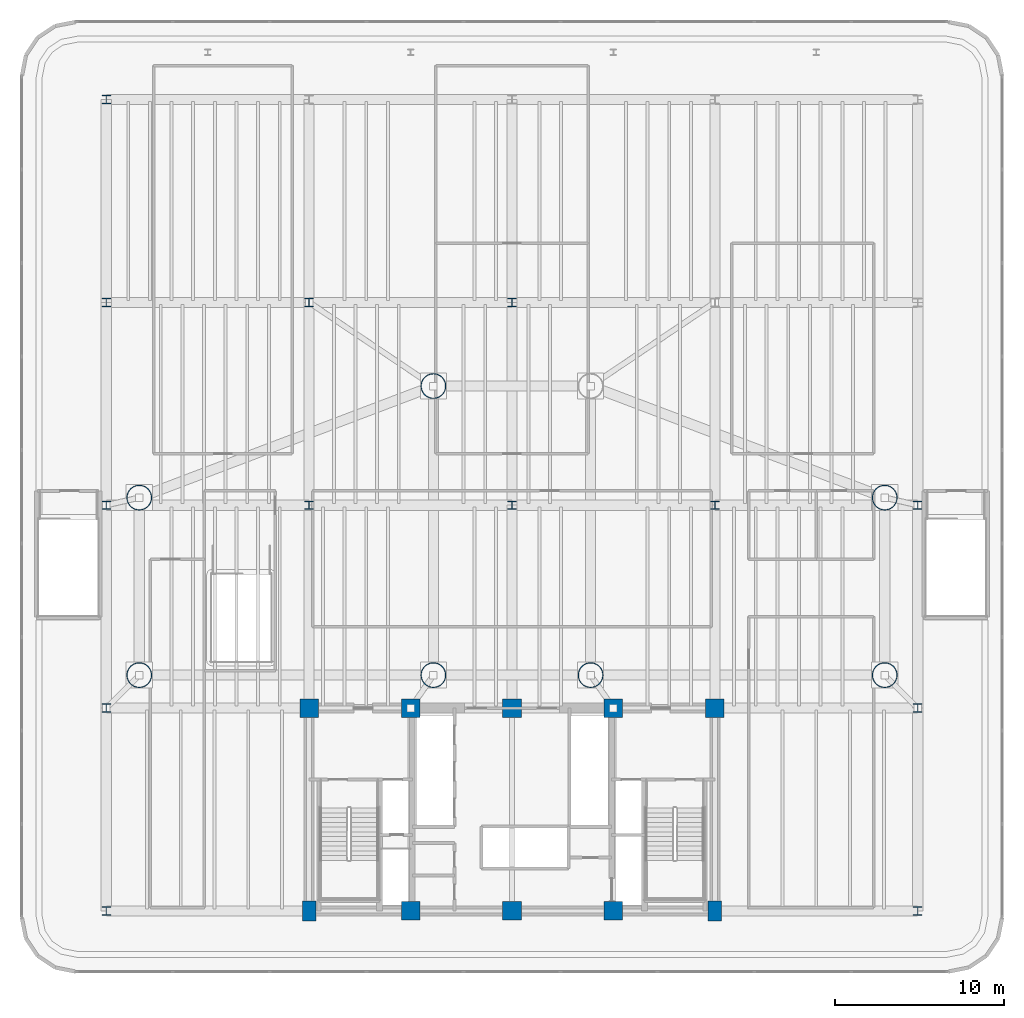
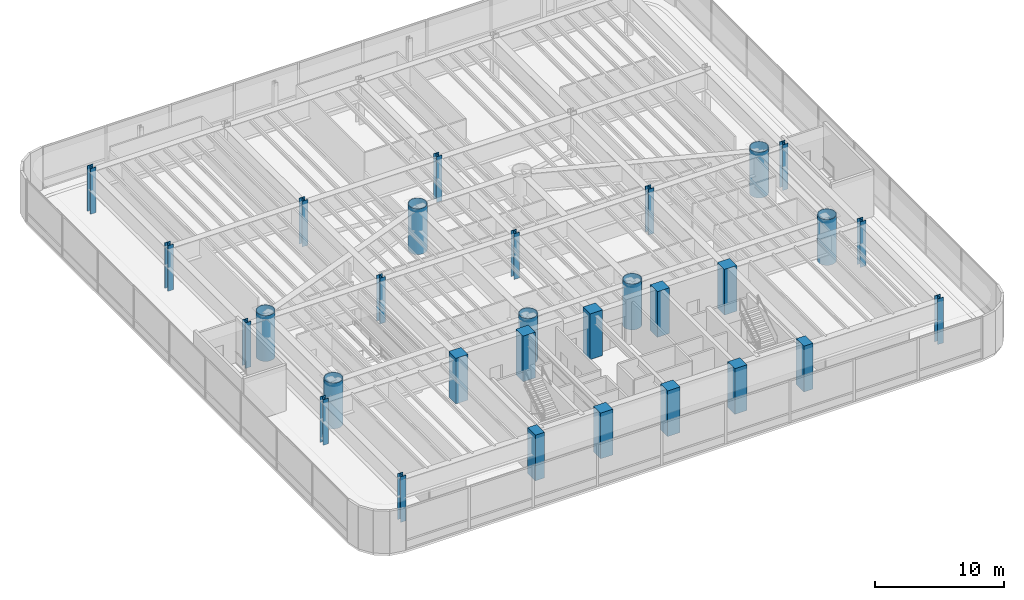
# One storey, part 1 of 18: 30 columns.
"""IFC4 building model written with IfcOpenShell, lengths in metres."""

import ifcopenshell
import ifcopenshell.guid

model = None  # the IFC model being written
_history = None  # IfcOwnerHistory: only IFC2X3 demands one
_inside = {}  # id of a spatial element -> (the spatial element, [elements in it])
_under = {}  # id of a project, library or spatial element -> (it, [spatial elements below it])
_declared = {}  # id of a project -> (the project, [libraries it declares])
_typed = {}  # id of a type object -> (the type object, [elements of that type])
_made_of = {}  # id of a material, layer set ... -> (it, [elements and type objects made of it])


def new_model(schema):
    """Start an empty IFC model of exactly this schema.

    Asked for "IFC4X3", IfcOpenShell would pick the latest addendum, in which some entities
    have other attributes; the version numbers below select the first issue.
    IFC2X3 requires an IfcOwnerHistory on every rooted entity: one is made here for all.
    """
    global model, _history
    if schema == "IFC4X3":
        model = ifcopenshell.file(schema_version=(4, 3, 0, 0))
    else:
        model = ifcopenshell.file(schema=schema)
    _inside.clear()
    _under.clear()
    _declared.clear()
    _typed.clear()
    _made_of.clear()
    _history = None
    if model.schema == "IFC2X3":
        org = make("IfcOrganization", Name="unknown")
        user = make(
            "IfcPersonAndOrganization",
            ThePerson=make("IfcPerson", FamilyName="unknown"),
            TheOrganization=org,
        )
        app = make(
            "IfcApplication",
            ApplicationDeveloper=org,
            Version="unknown",
            ApplicationFullName="unknown",
            ApplicationIdentifier="unknown",
        )
        _history = make(
            "IfcOwnerHistory",
            OwningUser=user,
            OwningApplication=app,
            ChangeAction="ADDED",
            CreationDate=0,
        )
    return model


def make(cls, **values):
    """One entity of the class cls with the attributes given. An attribute that is None is left unset."""
    return model.create_entity(
        cls, **{name: value for name, value in values.items() if value is not None}
    )


def rooted(cls, **values):
    """An entity with a GlobalId (a new one), such as an element, a storey or a relation."""
    return make(cls, GlobalId=ifcopenshell.guid.new(), OwnerHistory=_history, **values)


def si_unit(unit_type, name, prefix=None):
    """IfcSIUnit, for example si_unit("LENGTHUNIT", "METRE", prefix="MILLI")."""
    return make("IfcSIUnit", UnitType=unit_type, Prefix=prefix, Name=name)


def assignment(units):
    """IfcUnitAssignment: the units of a project."""
    return None if units is None else make("IfcUnitAssignment", Units=units)


def point(xyz):
    """IfcCartesianPoint."""
    return None if xyz is None else make("IfcCartesianPoint", Coordinates=xyz)


def direction(xyz):
    """IfcDirection."""
    return None if xyz is None else make("IfcDirection", DirectionRatios=xyz)


def frame(location, z_axis=None, x_axis=None):
    """IfcAxis2Placement3D, a coordinate frame: its origin and axes. An axis left out is left unset."""
    return make(
        "IfcAxis2Placement3D",
        Location=point(location),
        Axis=direction(z_axis),
        RefDirection=direction(x_axis),
    )


def frame_2d(location, x_axis=None):
    """IfcAxis2Placement2D, a coordinate frame in the plane: its origin and x axis."""
    return make(
        "IfcAxis2Placement2D", Location=point(location), RefDirection=direction(x_axis)
    )


def origin():
    """The frame at (0, 0, 0) with its axes left unset."""
    return frame((0.0, 0.0, 0.0))


def origin_2d():
    """The frame at (0, 0) in the plane with its x axis left unset."""
    return frame_2d((0.0, 0.0))


def place(relative_to, where):
    """IfcLocalPlacement: puts the frame where relative to a parent placement (None: the world)."""
    return make(
        "IfcLocalPlacement", PlacementRelTo=relative_to, RelativePlacement=where
    )


def context(
    kind, dimensions, precision=None, world=None, true_north=None, identifier=None
):
    """IfcGeometricRepresentationContext, for example the 3D "Model" context."""
    return make(
        "IfcGeometricRepresentationContext",
        ContextIdentifier=identifier,
        ContextType=kind,
        CoordinateSpaceDimension=dimensions,
        Precision=precision,
        WorldCoordinateSystem=world,
        TrueNorth=true_north,
    )


def subcontext(parent, identifier, kind, view, scale=None):
    """IfcGeometricRepresentationSubContext, for example "Body" below "Model"."""
    return make(
        "IfcGeometricRepresentationSubContext",
        ContextIdentifier=identifier,
        ContextType=kind,
        ParentContext=parent,
        TargetScale=scale,
        TargetView=view,
    )


def project(units=None, contexts=None):
    """IfcProject with its units and contexts."""
    return rooted(
        "IfcProject",
        Name="project",
        RepresentationContexts=contexts,
        UnitsInContext=assignment(units),
    )


def spatial(cls, under=None, at=None, **own):
    """A site, building, storey or space (cls), placed at a placement, below another one or the project."""
    s = rooted(cls, ObjectPlacement=at, **own)
    if under is not None:
        _under.setdefault(under.id(), (under, []))[1].append(s)
    return s


def profile(cls, at=None, kind="AREA", **sizes):
    """A parametric profile (cls). Its sizes go by their IFC names, for example OverallWidth=200.0."""
    return make(cls, ProfileType=kind, Position=at, **sizes)


def rectangle(**sizes):
    """IfcRectangleProfileDef."""
    return profile("IfcRectangleProfileDef", **sizes)


def hollow_circle(**sizes):
    """IfcCircleHollowProfileDef."""
    return profile("IfcCircleHollowProfileDef", **sizes)


def i_section(**sizes):
    """IfcIShapeProfileDef."""
    return profile("IfcIShapeProfileDef", **sizes)


def extrude(swept, where, along, depth):
    """IfcExtrudedAreaSolid: the profile swept, set in the frame where, extruded along a direction by depth."""
    return make(
        "IfcExtrudedAreaSolid",
        SweptArea=swept,
        Position=where,
        ExtrudedDirection=direction(along),
        Depth=depth,
    )


def shape(context_of_items, identifier, shape_type, items):
    """IfcShapeRepresentation: the items that make up one representation, for example the "Body"."""
    return make(
        "IfcShapeRepresentation",
        ContextOfItems=context_of_items,
        RepresentationIdentifier=identifier,
        RepresentationType=shape_type,
        Items=items,
    )


def source(mapping_origin, context_of_items, identifier, shape_type, items):
    """IfcRepresentationMap: a shape defined once, which mapped items show again and again."""
    return make(
        "IfcRepresentationMap",
        MappingOrigin=mapping_origin,
        MappedRepresentation=shape(context_of_items, identifier, shape_type, items),
    )


def transform(
    local_origin,
    x_axis=None,
    y_axis=None,
    z_axis=None,
    scale=None,
    scale2=None,
    scale3=None,
    uniform=True,
):
    """IfcCartesianTransformationOperator3D, or its non-uniform kind. x_axis, y_axis, z_axis: its Axis1, 2, 3."""
    if uniform:
        return make(
            "IfcCartesianTransformationOperator3D",
            Axis1=direction(x_axis),
            Axis2=direction(y_axis),
            LocalOrigin=point(local_origin),
            Scale=scale,
            Axis3=direction(z_axis),
        )
    return make(
        "IfcCartesianTransformationOperator3DnonUniform",
        Axis1=direction(x_axis),
        Axis2=direction(y_axis),
        LocalOrigin=point(local_origin),
        Scale=scale,
        Axis3=direction(z_axis),
        Scale2=scale2,
        Scale3=scale3,
    )


def mapped(mapping_source, mapping_target):
    """IfcMappedItem: shows the shape of a source again, moved by a transform."""
    return make(
        "IfcMappedItem", MappingSource=mapping_source, MappingTarget=mapping_target
    )


def material(Name=None, Category=None):
    """IfcMaterial."""
    return make("IfcMaterial", Name=Name, Category=Category)


def material_profile(
    of_material, cross_section, Name=None, Category=None, Priority=None
):
    """IfcMaterialProfile: a cross section and its material."""
    return make(
        "IfcMaterialProfile",
        Name=Name,
        Material=of_material,
        Profile=cross_section,
        Priority=Priority,
        Category=Category,
    )


def profile_set(profiles, Name=None, composite=None):
    """IfcMaterialProfileSet."""
    return make(
        "IfcMaterialProfileSet",
        Name=Name,
        MaterialProfiles=profiles,
        CompositeProfile=composite,
    )


def made_of(thing, what):
    """Note that an element or type object is made of a material, layer set ...; save() writes the relation."""
    if what is not None:
        _made_of.setdefault(what.id(), (what, []))[1].append(thing)
    return thing


def type_object(cls, material=None, **own):
    """A type object (cls), such as IfcWallType, which elements share."""
    return made_of(rooted(cls, **own), material)


def element(
    cls,
    number,
    at=None,
    inside=None,
    cuts=None,
    type_object=None,
    material=None,
    context=None,
    identifier="Body",
    shape_type=None,
    held_by="IfcProductDefinitionShape",
    body=None,
    shapes=None,
    **own,
):
    """One element of the class cls, such as IfcWall. Its Tag is "e" and its number.

    at: its placement. inside: the storey or other place that contains it. cuts: it is an
    opening in that element (IfcRelVoidsElement). A single representation is given by context,
    identifier, shape_type and body (its items); several are given by shapes. held_by: the class
    of the entity that holds the representations. save() writes the other relations.
    """
    e = rooted(cls, Tag="e%d" % number, ObjectPlacement=at, **own)
    if body is not None:
        shapes = [shape(context, identifier, shape_type, body)]
    if shapes is not None:
        e.Representation = make(held_by, Representations=shapes)
    if inside is not None:
        _inside.setdefault(inside.id(), (inside, []))[1].append(e)
    if cuts is not None:
        rooted(
            "IfcRelVoidsElement", RelatingBuildingElement=cuts, RelatedOpeningElement=e
        )
    if type_object is not None:
        _typed.setdefault(type_object.id(), (type_object, []))[1].append(e)
    return made_of(e, material)


def aggregate(whole, parts):
    """IfcRelAggregates: a whole, such as a stair, and the parts it consists of."""
    return rooted("IfcRelAggregates", RelatingObject=whole, RelatedObjects=parts)


def save(model, path):
    """Write the relations noted so far, then the file.

    IfcRelAggregates (storeys below a building ...), IfcRelContainedInSpatialStructure (elements
    in a storey), IfcRelDefinesByType, IfcRelAssociatesMaterial and IfcRelDeclares: one each for
    every whole, place, type object, material and project.
    """
    for whole, parts in _under.values():
        aggregate(whole, parts)
    for where, things in _inside.values():
        rooted(
            "IfcRelContainedInSpatialStructure",
            RelatedElements=things,
            RelatingStructure=where,
        )
    for kind, things in _typed.values():
        rooted("IfcRelDefinesByType", RelatedObjects=things, RelatingType=kind)
    for what, things in _made_of.values():
        rooted("IfcRelAssociatesMaterial", RelatedObjects=things, RelatingMaterial=what)
    for by, libraries in _declared.values():
        rooted("IfcRelDeclares", RelatingContext=by, RelatedDefinitions=libraries)
    model.write(path)


model = new_model("IFC4")

# Units and contexts
model_context = context("Model", 3, precision=1e-05, world=origin(), true_north=direction((0.0, 1.0)))
body_context = subcontext(model_context, "Body", "Model", "MODEL_VIEW")
ifc_project = project(units=[si_unit("LENGTHUNIT", "METRE"), si_unit("AREAUNIT", "SQUARE_METRE"), si_unit("VOLUMEUNIT", "CUBIC_METRE"), si_unit("PLANEANGLEUNIT", "RADIAN"), si_unit("MASSUNIT", "GRAM", prefix="KILO")], contexts=[model_context])

# Site, building, storey
site_placement = place(None, origin())
site = spatial("IfcSite", under=ifc_project, at=site_placement, CompositionType="ELEMENT")
building_placement = place(site_placement, origin())
building = spatial("IfcBuilding", under=site, at=building_placement, Name="Brelvock Crest Care Tower", CompositionType="ELEMENT")
storey_placement = place(building_placement, frame((0.0, 0.0, 22.679931640625)))
storey = spatial("IfcBuildingStorey", under=building, at=storey_placement, Name="L05", CompositionType="ELEMENT", Elevation=22.679931640625)

# Columns
ifc_material_1 = material(Name="Concrete S80 (80 MPa)", Category="concrete")
ifc_material_profile_1 = material_profile(ifc_material_1, rectangle(XDim=0.800048828125, YDim=1.199951171875, at=origin_2d()), Name="RC800x1200")
ifc_profile_set_1 = profile_set([ifc_material_profile_1], Name="Concrete S80 (80 MPa)")
column_type_1 = type_object("IfcColumnType", Name="COL-RC5", PredefinedType="COLUMN", material=ifc_profile_set_1)
shared_shape_1 = source(origin(), body_context, "Body", "SweptSolid", [
    extrude(rectangle(XDim=0.800048828125, YDim=1.199951171875, at=origin_2d()), origin(), (0.0, 0.0, 1.0), 4.320068359375),
])
for number, where, z_axis, x_axis, name in (
    (1, (24.0, 6.0, 0.0), (0.0, 0.0, 1.0), (1.0, 0.0, 0.0), "L05 Core Column CC-01"),
    (2, (48.0, 6.0, 0.0), (0.0, 0.0, 1.0), (1.0, 0.0, 0.0), "L05 Core Column CC-05"),
):
    element("IfcColumn", number, at=place(storey_placement, frame(where, z_axis=z_axis, x_axis=x_axis)), inside=storey, type_object=column_type_1, Name=name, PredefinedType="COLUMN", context=body_context, shape_type="MappedRepresentation", body=[
        mapped(shared_shape_1, transform((0.0, 0.0, 0.0), x_axis=(1.0, 0.0, 0.0), y_axis=(0.0, 1.0, 0.0), z_axis=(0.0, 0.0, 1.0), scale=1.0)),
    ])
ifc_material_profile_2 = material_profile(ifc_material_1, rectangle(XDim=1.10009765625, YDim=1.10009765625, at=origin_2d()), Name="RC1100x1100")
ifc_profile_set_2 = profile_set([ifc_material_profile_2], Name="Concrete S80 (80 MPa)")
column_type_2 = type_object("IfcColumnType", Name="COL-RC1", PredefinedType="COLUMN", material=ifc_profile_set_2)
shared_shape_2 = source(origin(), body_context, "Body", "SweptSolid", [
    extrude(rectangle(XDim=1.10009765625, YDim=1.10009765625, at=origin_2d()), origin(), (0.0, 0.0, 1.0), 4.320068359375),
])
for number, where, z_axis, x_axis, name in (
    (3, (30.0, 6.0, 0.0), (0.0, 0.0, 1.0), (1.0, 0.0, 0.0), "L05 Core Column CC-02"),
    (4, (36.0, 6.0, 0.0), (0.0, 0.0, 1.0), (1.0, 0.0, 0.0), "L05 Core Column CC-03"),
    (5, (42.0, 6.0, 0.0), (0.0, 0.0, 1.0), (1.0, 0.0, 0.0), "L05 Core Column CC-04"),
    (6, (24.0, 18.0, 0.0), (0.0, 0.0, 1.0), (1.0, 0.0, 0.0), "L05 Core Column CC-06"),
    (7, (30.0, 18.0, 0.0), (0.0, 0.0, 1.0), (1.0, 0.0, 0.0), "L05 Core Column CC-07"),
    (8, (36.0, 18.0, 0.0), (0.0, 0.0, 1.0), (1.0, 0.0, 0.0), "L05 Core Column CC-08"),
    (9, (42.0, 18.0, 0.0), (0.0, 0.0, 1.0), (1.0, 0.0, 0.0), "L05 Core Column CC-09"),
    (10, (48.0, 18.0, 0.0), (0.0, 0.0, 1.0), (1.0, 0.0, 0.0), "L05 Core Column CC-10"),
):
    element("IfcColumn", number, at=place(storey_placement, frame(where, z_axis=z_axis, x_axis=x_axis)), inside=storey, type_object=column_type_2, Name=name, PredefinedType="COLUMN", context=body_context, shape_type="MappedRepresentation", body=[
        mapped(shared_shape_2, transform((0.0, 0.0, 0.0), x_axis=(1.0, 0.0, 0.0), y_axis=(0.0, 1.0, 0.0), z_axis=(0.0, 0.0, 1.0), scale=1.0)),
    ])
ifc_material_2 = material(Name="Steel Grade 350", Category="steel")
ifc_material_profile_3 = material_profile(ifc_material_2, i_section(OverallWidth=0.5, OverallDepth=0.5, WebThickness=0.02197265625, FlangeThickness=0.034912109375, at=origin_2d()), Name="500WC340")
ifc_profile_set_3 = profile_set([ifc_material_profile_3], Name="Steel Grade 350")
column_type_3 = type_object("IfcColumnType", Name="COL-PC2", PredefinedType="COLUMN", material=ifc_profile_set_3)
shared_shape_3 = source(origin(), body_context, "Body", "SweptSolid", [
    extrude(i_section(OverallWidth=0.5, OverallDepth=0.5, WebThickness=0.02197265625, FlangeThickness=0.034912109375, at=origin_2d()), origin(), (0.0, 0.0, 1.0), 4.320068359375),
])
for number, where, z_axis, x_axis, name in (
    (11, (12.0, 6.0, 0.0), (0.0, 0.0, 1.0), (1.0, 0.0, 0.0), "L05 Podium Column PC-01"),
    (12, (60.0, 6.0, 0.0), (0.0, 0.0, 1.0), (1.0, 0.0, 0.0), "L05 Podium Column PC-02"),
    (13, (12.0, 18.0, 0.0), (0.0, 0.0, 1.0), (1.0, 0.0, 0.0), "L05 Podium Column PC-03"),
    (14, (60.0, 18.0, 0.0), (0.0, 0.0, 1.0), (1.0, 0.0, 0.0), "L05 Podium Column PC-04"),
    (15, (12.0, 30.0, 0.0), (0.0, 0.0, 1.0), (1.0, 0.0, 0.0), "L05 Podium Column PC-05"),
    (16, (24.0, 30.0, 0.0), (0.0, 0.0, 1.0), (1.0, 0.0, 0.0), "L05 Podium Column PC-06"),
    (17, (36.0, 30.0, 0.0), (0.0, 0.0, 1.0), (1.0, 0.0, 0.0), "L05 Podium Column PC-07"),
    (18, (48.0, 30.0, 0.0), (0.0, 0.0, 1.0), (1.0, 0.0, 0.0), "L05 Podium Column PC-08"),
    (19, (60.0, 30.0, 0.0), (0.0, 0.0, 1.0), (1.0, 0.0, 0.0), "L05 Podium Column PC-09"),
    (20, (12.0, 42.0, 0.0), (0.0, 0.0, 1.0), (1.0, 0.0, 0.0), "L05 Podium Column PC-10"),
    (21, (24.0, 42.0, 0.0), (0.0, 0.0, 1.0), (1.0, 0.0, 0.0), "L05 Podium Column PC-11"),
    (22, (36.0, 42.0, 0.0), (0.0, 0.0, 1.0), (1.0, 0.0, 0.0), "L05 Podium Column PC-12"),
    (23, (12.0, 54.0, 0.0), (0.0, 0.0, 1.0), (1.0, 0.0, 0.0), "L05 Podium Column PC-15"),
):
    element("IfcColumn", number, at=place(storey_placement, frame(where, z_axis=z_axis, x_axis=x_axis)), inside=storey, type_object=column_type_3, Name=name, PredefinedType="COLUMN", context=body_context, shape_type="MappedRepresentation", body=[
        mapped(shared_shape_3, transform((0.0, 0.0, 0.0), x_axis=(1.0, 0.0, 0.0), y_axis=(0.0, 1.0, 0.0), z_axis=(0.0, 0.0, 1.0), scale=1.0)),
    ])
ifc_material_profile_4 = material_profile(ifc_material_2, hollow_circle(Radius=0.75, WallThickness=0.050048828125, at=origin_2d()), Name="CFT1500x50")
ifc_profile_set_4 = profile_set([ifc_material_profile_4], Name="Steel Grade 350")
column_type_4 = type_object("IfcColumnType", Name="COL-MC1", PredefinedType="COLUMN", material=ifc_profile_set_4)
shared_shape_4 = source(origin(), body_context, "Body", "SweptSolid", [
    extrude(hollow_circle(Radius=0.75, WallThickness=0.050048828125, at=origin_2d()), origin(), (0.0, 0.0, 1.0), 4.320068359375),
])
for number, where, z_axis, x_axis, name in (
    (24, (13.949951171875, 19.949951171875, 0.0), (0.0, 0.0, 1.0), (1.0, 0.0, 0.0), "L05 Tower Column M1"),
    (25, (13.949951171875, 30.449951171875, 0.0), (0.0, 0.0, 1.0), (1.0, 0.0, 0.0), "L05 Tower Column M2"),
    (26, (58.050048828125, 19.949951171875, 0.0), (0.0, 0.0, 1.0), (1.0, 0.0, 0.0), "L05 Tower Column M3"),
    (27, (58.050048828125, 30.449951171875, 0.0), (0.0, 0.0, 1.0), (1.0, 0.0, 0.0), "L05 Tower Column M4"),
    (28, (31.35009765625, 19.949951171875, 0.0), (0.0, 0.0, 1.0), (1.0, 0.0, 0.0), "L05 Tower Column M5"),
    (29, (40.64990234375, 19.949951171875, 0.0), (0.0, 0.0, 1.0), (1.0, 0.0, 0.0), "L05 Tower Column M6"),
    (30, (31.35009765625, 37.050048828125, 0.0), (0.0, 0.0, 1.0), (1.0, 0.0, 0.0), "L05 Tower Column M7"),
):
    element("IfcColumn", number, at=place(storey_placement, frame(where, z_axis=z_axis, x_axis=x_axis)), inside=storey, type_object=column_type_4, Name=name, PredefinedType="COLUMN", context=body_context, shape_type="MappedRepresentation", body=[
        mapped(shared_shape_4, transform((0.0, 0.0, 0.0), x_axis=(1.0, 0.0, 0.0), y_axis=(0.0, 1.0, 0.0), z_axis=(0.0, 0.0, 1.0), scale=1.0)),
    ])

save(model, "model.ifc")
